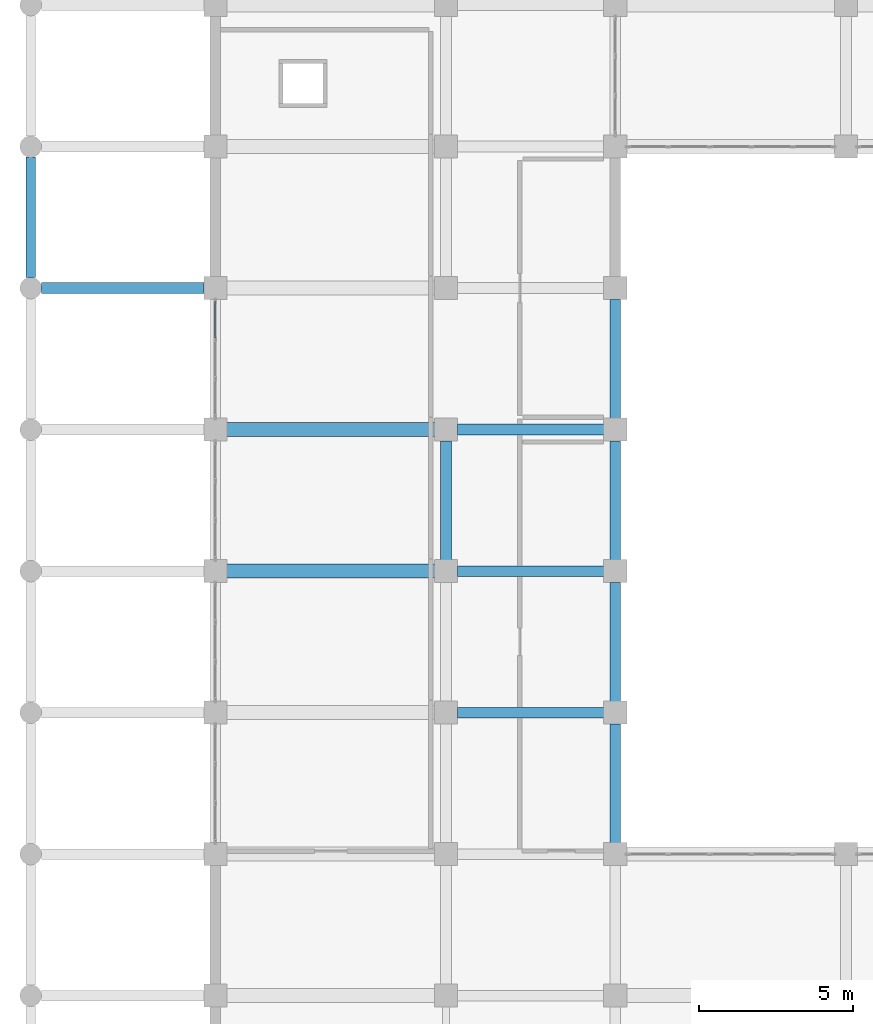
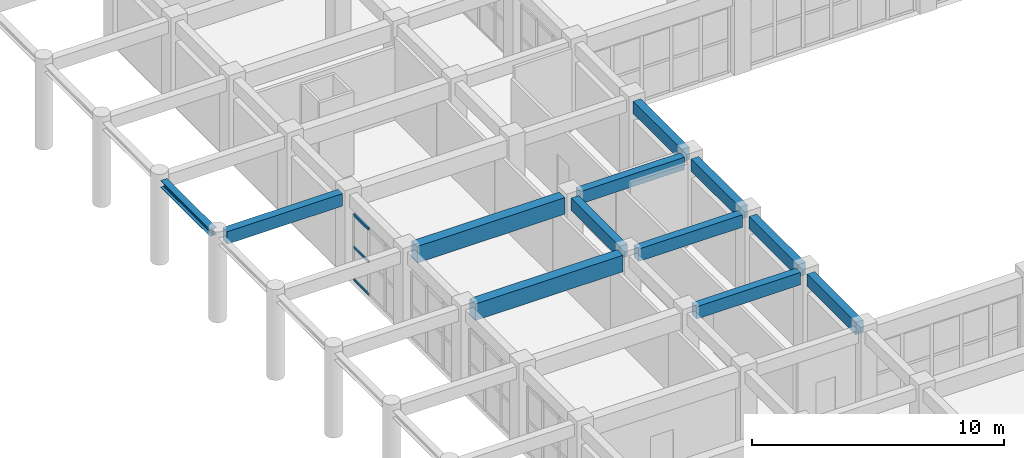
# One storey, part 21 of 116: 12 beams, 3 members, 1 element without a shape of its own.
"""IFC4 building model written with IfcOpenShell, lengths in metres."""

from ifc_helpers import new_model, si_unit, direction, frame, origin, origin_2d, place, context, subcontext, project, spatial, rectangle, hollow_rectangle, i_section, extrude, material, layer, layer_set, material_profile, profile_set, type_object, element, aggregate, save


model = new_model("IFC4")

# Units and contexts
model_context = context("Model", 3, precision=1e-05, world=origin(), true_north=direction((0.0, 1.0)))
body_context = subcontext(model_context, "Body", "Model", "MODEL_VIEW")
ifc_project = project(units=[si_unit("LENGTHUNIT", "METRE"), si_unit("AREAUNIT", "SQUARE_METRE"), si_unit("VOLUMEUNIT", "CUBIC_METRE"), si_unit("PLANEANGLEUNIT", "RADIAN"), si_unit("MASSUNIT", "GRAM", prefix="KILO")], contexts=[model_context])

# Site, building, storey
site_placement = place(None, origin())
site = spatial("IfcSite", under=ifc_project, at=site_placement, CompositionType="ELEMENT")
building_placement = place(site_placement, origin())
building = spatial("IfcBuilding", under=site, at=building_placement, Name="Muzn Square Opera House", CompositionType="ELEMENT")
storey_placement = place(building_placement, frame((0.0, 0.0, 5.39990234375)))
storey = spatial("IfcBuildingStorey", under=building, at=storey_placement, Name="L01", CompositionType="ELEMENT", Elevation=5.39990234375)

# Curtain wall, members
ifc_material_1 = material(Name="Low-E laminated acoustic double glazing", Category="glass")
ifc_layer = layer(ifc_material_1, 0.159912109375, Name="Low-E laminated acoustic double glazing", Category="glass")
ifc_layer_set = layer_set([ifc_layer], Name="Low-E laminated acoustic double glazing")
curtain_wall_type = type_object("IfcCurtainWallType", Name="Glazed Curtain Wall WestBlvd 3850x3200", PredefinedType="USERDEFINED", material=ifc_layer_set)
curtain_wall_placement = place(storey_placement, origin())
curtain_wall = element("IfcCurtainWall", 1, at=curtain_wall_placement, inside=storey, type_object=curtain_wall_type, Name="Glazed Curtain Wall CW-L01-143", ObjectType="GLAZED CURTAIN WALL", PredefinedType="USERDEFINED")
ifc_material_2 = material(Name="Anodised bronze aluminium 6063-T6", Category="metal")
ifc_material_profile_1 = material_profile(ifc_material_2, hollow_rectangle(XDim=0.06005859375, YDim=0.1201171875, WallThickness=0.00390625, at=origin_2d()), Name="ALU 120x60x4", Category="metal")
ifc_profile_set_1 = profile_set([ifc_material_profile_1], Name="Anodised bronze aluminium 6063-T6")
member_type = type_object("IfcMemberType", Name="Curtain Wall Transom 120x60", PredefinedType="USERDEFINED", material=ifc_profile_set_1)
member_1_placement = place(storey_placement, frame((6.0, 47.9716796875, 0.030029296875), z_axis=(0.0, 1.0, 0.0), x_axis=(-1.0, 0.0, 0.0)))
member_1 = element("IfcMember", 2, at=member_1_placement, type_object=member_type, Name="CW-WBL-38x32 transom 3.1", ObjectType="TRANSOM", PredefinedType="USERDEFINED", context=body_context, shape_type="SweptSolid", body=[
    extrude(hollow_rectangle(XDim=0.06005859375, YDim=0.1201171875, WallThickness=0.00390625, at=origin_2d()), origin(), (0.0, 0.0, 1.0), 1.193359375),
])
member_2_placement = place(storey_placement, frame((6.0, 47.9716796875, 1.60009765625), z_axis=(0.0, 1.0, 0.0), x_axis=(-1.0, 0.0, 0.0)))
member_2 = element("IfcMember", 3, at=member_2_placement, type_object=member_type, Name="CW-WBL-38x32 transom 3.2", ObjectType="TRANSOM", PredefinedType="USERDEFINED", context=body_context, shape_type="SweptSolid", body=[
    extrude(hollow_rectangle(XDim=0.06005859375, YDim=0.1201171875, WallThickness=0.00390625, at=origin_2d()), origin(), (0.0, 0.0, 1.0), 1.193359375),
])
member_3_placement = place(storey_placement, frame((6.0, 47.9716796875, 3.170166015625), z_axis=(0.0, 1.0, 0.0), x_axis=(-1.0, 0.0, 0.0)))
member_3 = element("IfcMember", 4, at=member_3_placement, type_object=member_type, Name="CW-WBL-38x32 transom 3.3", ObjectType="TRANSOM", PredefinedType="USERDEFINED", context=body_context, shape_type="SweptSolid", body=[
    extrude(hollow_rectangle(XDim=0.06005859375, YDim=0.1201171875, WallThickness=0.00390625, at=origin_2d()), origin(), (0.0, 0.0, 1.0), 1.193359375),
])
aggregate(curtain_wall, [member_1, member_2, member_3])

# Beams
ifc_material_3 = material(Name="Concrete C40/50", Category="concrete")
ifc_material_profile_2 = material_profile(ifc_material_3, rectangle(XDim=0.35009765625, YDim=0.60009765625, at=origin_2d()), Name="RCB 350x600", Category="concrete")
ifc_profile_set_2 = profile_set([ifc_material_profile_2], Name="Concrete C40/50")
beam_type_1 = type_object("IfcBeamType", Name="Primary Girder 350x600", PredefinedType="BEAM", material=ifc_profile_set_2)
for number, where, z_axis, x_axis, name in (
    (5, (13.866943359375, 35.800048828125, 3.85009765625), (1.0, 0.0, 0.0), (0.0, 1.0, 0.0), "Primary Girder BM-L01-BM-PG600-139_358_186_358-1335"),
    (6, (13.866943359375, 40.39990234375, 3.85009765625), (1.0, 0.0, 0.0), (0.0, 1.0, 0.0), "Primary Girder BM-L01-BM-PG600-139_404_186_404-1350"),
    (7, (13.866943359375, 45.0, 3.85009765625), (1.0, 0.0, 0.0), (0.0, 1.0, 0.0), "Primary Girder BM-L01-BM-PG600-139_450_186_450-1358"),
):
    element("IfcBeam", number, at=place(storey_placement, frame(where, z_axis=z_axis, x_axis=x_axis)), inside=storey, type_object=beam_type_1, Name=name, PredefinedType="BEAM", context=body_context, shape_type="SweptSolid", body=[
        extrude(rectangle(XDim=0.35009765625, YDim=0.60009765625, at=origin_2d()), origin(), (0.0, 0.0, 1.0), 4.76611328125),
    ])
beam_1_placement = place(storey_placement, frame((0.342041015625, 49.60009765625, 3.85009765625), z_axis=(1.0, 0.0, 0.0), x_axis=(0.0, 1.0, 0.0)))
element("IfcBeam", 8, at=beam_1_placement, inside=storey, type_object=beam_type_1, Name="Primary Girder BM-L01-BM-PG600-3_496_56_496-1362", PredefinedType="BEAM", context=body_context, shape_type="SweptSolid", body=[
    extrude(rectangle(XDim=0.35009765625, YDim=0.60009765625, at=origin_2d()), origin(), (0.0, 0.0, 1.0), 5.291015625),
])
beam_2_placement = place(storey_placement, frame((13.5, 40.76708984375, 3.85009765625), z_axis=(0.0, 1.0, 0.0), x_axis=(-1.0, 0.0, 0.0)))
element("IfcBeam", 9, at=beam_2_placement, inside=storey, type_object=beam_type_1, Name="Primary Girder BM-L01-BM-PG600-135_408_135_446-1547", PredefinedType="BEAM", context=body_context, shape_type="SweptSolid", body=[
    extrude(rectangle(XDim=0.35009765625, YDim=0.60009765625, at=origin_2d()), origin(), (0.0, 0.0, 1.0), 3.865966796875),
])
beam_3_placement = place(storey_placement, frame((19.0, 31.56689453125, 3.820068359375), z_axis=(0.0, 1.0, 0.0), x_axis=(-1.0, 0.0, 0.0)))
element("IfcBeam", 10, at=beam_3_placement, inside=storey, type_object=beam_type_1, Name="Primary Girder BM-L01-BM-PG600-190_316_190_354-1558", PredefinedType="BEAM", context=body_context, shape_type="SweptSolid", body=[
    extrude(rectangle(XDim=0.35009765625, YDim=0.60009765625, at=origin_2d()), origin(), (0.0, 0.0, 1.0), 3.8662109375),
])
for number, where, z_axis, x_axis, name in (
    (11, (19.0, 36.1669921875, 3.820068359375), (0.0, 1.0, 0.0), (-1.0, 0.0, 0.0), "Primary Girder BM-L01-BM-PG600-190_362_190_400-1559"),
    (12, (19.0, 40.76708984375, 3.820068359375), (0.0, 1.0, 0.0), (-1.0, 0.0, 0.0), "Primary Girder BM-L01-BM-PG600-190_408_190_446-1560"),
    (13, (19.0, 45.366943359375, 3.820068359375), (0.0, 1.0, 0.0), (-1.0, 0.0, 0.0), "Primary Girder BM-L01-BM-PG600-190_454_190_492-1561"),
):
    element("IfcBeam", number, at=place(storey_placement, frame(where, z_axis=z_axis, x_axis=x_axis)), inside=storey, type_object=beam_type_1, Name=name, PredefinedType="BEAM", context=body_context, shape_type="SweptSolid", body=[
        extrude(rectangle(XDim=0.35009765625, YDim=0.60009765625, at=origin_2d()), origin(), (0.0, 0.0, 1.0), 3.865966796875),
    ])
ifc_material_profile_3 = material_profile(ifc_material_3, rectangle(XDim=0.449951171875, YDim=0.800048828125, at=origin_2d()), Name="RCB 450x800", Category="concrete")
ifc_profile_set_3 = profile_set([ifc_material_profile_3], Name="Concrete C40/50")
beam_type_2 = type_object("IfcBeamType", Name="Primary Girder 450x800", PredefinedType="BEAM", material=ifc_profile_set_3)
for number, where, z_axis, x_axis, name in (
    (14, (6.366943359375, 40.39990234375, 3.75), (1.0, 0.0, 0.0), (0.0, 1.0, 0.0), "Primary Girder BM-L01-BM-PG800-64_404_131_404-1349"),
    (15, (6.366943359375, 45.0, 3.75), (1.0, 0.0, 0.0), (0.0, 1.0, 0.0), "Primary Girder BM-L01-BM-PG800-64_450_131_450-1357"),
):
    element("IfcBeam", number, at=place(storey_placement, frame(where, z_axis=z_axis, x_axis=x_axis)), inside=storey, type_object=beam_type_2, Name=name, PredefinedType="BEAM", context=body_context, shape_type="SweptSolid", body=[
        extrude(rectangle(XDim=0.449951171875, YDim=0.800048828125, at=origin_2d()), origin(), (0.0, 0.0, 1.0), 6.76611328125),
    ])
ifc_material_4 = material(Name="Steel S355", Category="steel")
ifc_material_profile_4 = material_profile(ifc_material_4, i_section(OverallWidth=0.300048828125, OverallDepth=0.330078125, WebThickness=0.009521484375, FlangeThickness=0.0166015625, FilletRadius=0.027099609375, at=origin_2d()), Name="HEA 340", Category="steel")
ifc_profile_set_4 = profile_set([ifc_material_profile_4], Name="Steel S355")
beam_type_3 = type_object("IfcBeamType", Name="Steel Spandrel Beam HEA340", PredefinedType="SPANDREL", material=ifc_profile_set_4)
beam_4_placement = place(storey_placement, frame((0.0, 49.94189453125, 3.955078125), z_axis=(0.0, 1.0, 0.0), x_axis=(-1.0, 0.0, 0.0)))
element("IfcBeam", 16, at=beam_4_placement, inside=storey, type_object=beam_type_3, Name="Spandrel Beam BM-L01-BM-SSP340-0_499_0_539-1517", PredefinedType="SPANDREL", context=body_context, shape_type="SweptSolid", body=[
    extrude(i_section(OverallWidth=0.300048828125, OverallDepth=0.330078125, WebThickness=0.009521484375, FlangeThickness=0.0166015625, FilletRadius=0.027099609375, at=origin_2d()), origin(), (0.0, 0.0, 1.0), 3.916015625),
])

save(model, "model.ifc")
